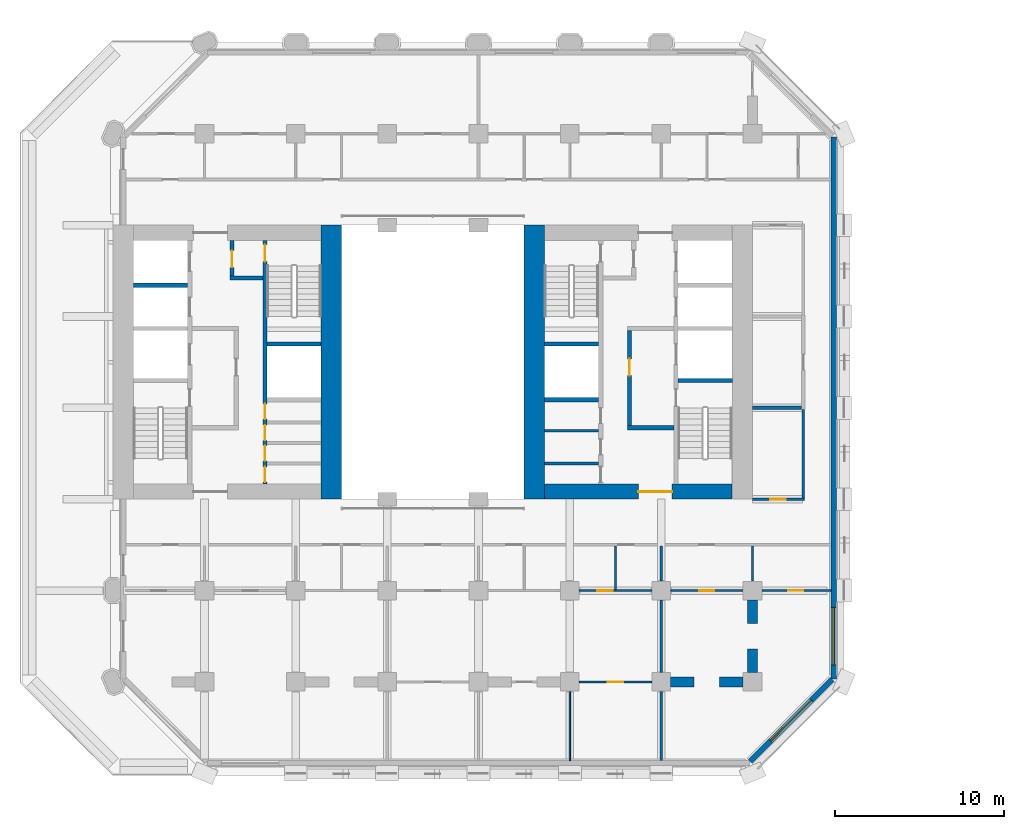
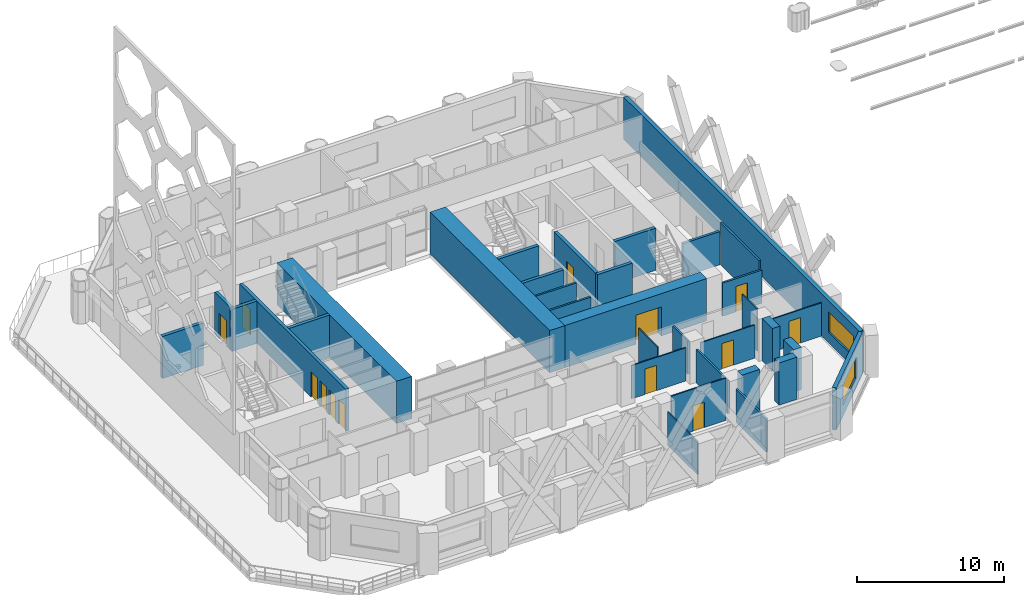
# One storey, part 8 of 14: 34 walls, 13 doors, 2 windows, 15 openings.
"""IFC4 building model written with IfcOpenShell, lengths in metres."""

from ifc_helpers import new_model, si_unit, direction, frame, frame_2d, origin, place, context, subcontext, project, spatial, rectangle, extrude, material, layer, layer_set, type_object, element, fill, save


model = new_model("IFC4")

# Units and contexts
model_context = context("Model", 3, precision=1e-05, world=origin(), true_north=direction((0.0, 1.0)))
body_context = subcontext(model_context, "Body", "Model", "MODEL_VIEW")
ifc_project = project(units=[si_unit("LENGTHUNIT", "METRE"), si_unit("AREAUNIT", "SQUARE_METRE"), si_unit("VOLUMEUNIT", "CUBIC_METRE"), si_unit("PLANEANGLEUNIT", "RADIAN"), si_unit("MASSUNIT", "GRAM", prefix="KILO")], contexts=[model_context])

# Site, building, storey
site_placement = place(None, origin())
site = spatial("IfcSite", under=ifc_project, at=site_placement, CompositionType="ELEMENT")
building_placement = place(site_placement, origin())
building = spatial("IfcBuilding", under=site, at=building_placement, Name="Tabaq Tower and Sports Hall", CompositionType="ELEMENT")
storey_placement = place(building_placement, frame((0.0, 0.0, 33.60009765625)))
storey = spatial("IfcBuildingStorey", under=building, at=storey_placement, Name="L06", CompositionType="ELEMENT", Elevation=33.60009765625)

# Walls
ifc_material_1 = material(Name="Blockwork", Category="masonry")
ifc_layer_1 = layer(ifc_material_1, 0.14990234375)
ifc_layer_set_1 = layer_set([ifc_layer_1], Name="Core room partition 150 Blockwork")
wall_type_1 = type_object("IfcWallType", Name="Core room partition 150 Blockwork", PredefinedType="PARTITIONING", material=ifc_layer_set_1)
for number, where, z_axis, x_axis, name in (
    (1, (30.89990234375, 18.31201171875, 0.0), (0.0, 0.0, 1.0), (1.0, 0.0, 0.0), "Core room partition E L06"),
    (2, (30.89990234375, 20.251953125, 0.0), (0.0, 0.0, 1.0), (1.0, 0.0, 0.0), "Core room partition E L06"),
):
    element("IfcWall", number, at=place(storey_placement, frame(where, z_axis=z_axis, x_axis=x_axis)), inside=storey, type_object=wall_type_1, Name=name, PredefinedType="PARTITIONING", context=body_context, shape_type="SweptSolid", body=[
        extrude(rectangle(XDim=3.2001953125, YDim=0.14990234375, at=frame_2d((1.60009765625, 0.0))), origin(), (0.0, 0.0, 1.0), 3.5),
    ])
ifc_material_2 = material(Name="Concrete C60/75", Category="concrete")
ifc_layer_2 = layer(ifc_material_2, 1.199951171875)
ifc_layer_set_2 = layer_set([ifc_layer_2], Name="Core wall 1200 Concrete C60/75")
wall_type_2 = type_object("IfcWallType", Name="Core wall 1200 Concrete C60/75", PredefinedType="SOLIDWALL", material=ifc_layer_set_2)
for number, where, z_axis, x_axis, name in (
    (3, (18.300048828125, 32.39990234375, 0.0), (0.0, 0.0, 1.0), (0.0, -1.0, 0.0), "Core wall W L06"),
    (4, (30.300048828125, 16.199951171875, 0.0), (0.0, 0.0, 1.0), (0.0, 1.0, 0.0), "Core wall E L06"),
):
    element("IfcWall", number, at=place(storey_placement, frame(where, z_axis=z_axis, x_axis=x_axis)), inside=storey, type_object=wall_type_2, Name=name, PredefinedType="SOLIDWALL", context=body_context, shape_type="SweptSolid", body=[
        extrude(rectangle(XDim=16.199951171875, YDim=1.199951171875, at=frame_2d((8.10009765625, 0.0))), origin(), (0.0, 0.0, 1.0), 3.5),
    ])

# Wall, opening, door
ifc_material_3 = material(Name="Concrete C60/75", Category="concrete")
ifc_layer_3 = layer(ifc_material_3, 0.89990234375)
ifc_layer_set_3 = layer_set([ifc_layer_3], Name="Core wall 900 Concrete C60/75")
wall_type_3 = type_object("IfcWallType", Name="Core wall 900 Concrete C60/75", PredefinedType="SOLIDWALL", material=ifc_layer_set_3)
wall_1_placement = place(storey_placement, frame((42.0, 16.64990234375, 0.0), z_axis=(0.0, 0.0, 1.0), x_axis=(-1.0, 0.0, 0.0)))
wall_1 = element("IfcWall", 5, at=wall_1_placement, inside=storey, type_object=wall_type_3, Name="Core wall E L06", PredefinedType="SOLIDWALL", context=body_context, shape_type="SweptSolid", body=[
    extrude(rectangle(XDim=11.10009765625, YDim=0.89990234375, at=frame_2d((5.550048828125, 0.0))), origin(), (0.0, 0.0, 1.0), 3.5),
])
opening_1_placement = place(wall_1_placement, frame((3.550048828125, 0.0, 0.0)))
opening_1 = element("IfcOpeningElement", 6, at=opening_1_placement, cuts=wall_1, Name="Opening PD-EL06-01", PredefinedType="OPENING", context=body_context, shape_type="SweptSolid", body=[
    extrude(rectangle(XDim=2.0, YDim=2.39990234375, at=frame_2d((1.0, 1.199951171875))), frame((0.0, 0.449951171875, 0.0), z_axis=(0.0, -1.0, 0.0), x_axis=(1.0, 0.0, 0.0)), (0.0, 0.0, 1.0), 0.89990234375),
])
ifc_material_4 = material(Name="Steel fire door", Category="steel")
door_type_1 = type_object("IfcDoorType", Name="Core entrance door 2000", OperationType="DOUBLE_DOOR_SINGLE_SWING", PredefinedType="DOOR", material=ifc_material_4)
door_1_placement = place(opening_1_placement, origin())
door_1 = element("IfcDoor", 7, at=door_1_placement, inside=storey, type_object=door_type_1, Name="Core entrance south E L06", OperationType="DOUBLE_DOOR_SINGLE_SWING", OverallHeight=2.39990234375, OverallWidth=2.0, PredefinedType="DOOR", context=body_context, shape_type="SweptSolid", body=[
    extrude(rectangle(XDim=2.0, YDim=2.39990234375, at=frame_2d((1.0, 1.199951171875))), frame((0.0, 0.02490234375, 0.0), z_axis=(0.0, -1.0, 0.0), x_axis=(1.0, 0.0, 0.0)), (0.0, 0.0, 1.0), 0.050048828125),
])
fill(opening_1, door_1)

# Walls
ifc_material_5 = material(Name="Blockwork", Category="masonry")
ifc_layer_4 = layer(ifc_material_5, 0.199951171875)
ifc_layer_set_4 = layer_set([ifc_layer_4], Name="Fire compartment wall 200 Blockwork")
wall_type_4 = type_object("IfcWallType", Name="Fire compartment wall 200 Blockwork", PredefinedType="PARTITIONING", material=ifc_layer_set_4)
wall_2_placement = place(storey_placement, frame((46.10009765625, 21.60009765625, 0.0), z_axis=(0.0, 0.0, 1.0), x_axis=(-1.0, 0.0, 0.0)))
element("IfcWall", 8, at=wall_2_placement, inside=storey, type_object=wall_type_4, Name="Compartment wall L06", PredefinedType="PARTITIONING", context=body_context, shape_type="SweptSolid", body=[
    extrude(rectangle(XDim=2.900146484375, YDim=0.199951171875, at=frame_2d((1.4501953125, 0.0))), origin(), (0.0, 0.0, 1.0), 2.75),
])
ifc_material_6 = material(Name="Gypsum board on steel studs", Category="steel")
ifc_layer_5 = layer(ifc_material_6, 0.10009765625)
ifc_layer_set_5 = layer_set([ifc_layer_5], Name="Partition 100 Gypsum board")
wall_type_5 = type_object("IfcWallType", Name="Partition 100 Gypsum board", PredefinedType="PARTITIONING", material=ifc_layer_set_5)
wall_3_placement = place(storey_placement, frame((35.10009765625, 10.85009765625, 0.0), z_axis=(0.0, 0.0, 1.0), x_axis=(0.0, 1.0, 0.0)))
element("IfcWall", 9, at=wall_3_placement, inside=storey, type_object=wall_type_5, Name="Partition wall L06", PredefinedType="PARTITIONING", context=body_context, shape_type="SweptSolid", body=[
    extrude(rectangle(XDim=2.574951171875, YDim=0.10009765625, at=frame_2d((1.28759765625, 0.0))), origin(), (0.0, 0.0, 1.0), 3.5),
])

# Wall, opening, door
wall_4_placement = place(storey_placement, frame((32.969970703125, 10.800048828125, 0.0), z_axis=(0.0, 0.0, 1.0), x_axis=(1.0, 0.0, 0.0)))
wall_4 = element("IfcWall", 10, at=wall_4_placement, inside=storey, type_object=wall_type_5, Name="Partition wall L06", PredefinedType="PARTITIONING", context=body_context, shape_type="SweptSolid", body=[
    extrude(rectangle(XDim=4.260009765625, YDim=0.10009765625, at=frame_2d((2.1298828125, 0.0))), origin(), (0.0, 0.0, 1.0), 2.75),
])
opening_2_placement = place(wall_4_placement, frame((1.06005859375, 0.0, 0.0)))
opening_2 = element("IfcOpeningElement", 11, at=opening_2_placement, cuts=wall_4, Name="Opening L06-018", PredefinedType="OPENING", context=body_context, shape_type="SweptSolid", body=[
    extrude(rectangle(XDim=0.89990234375, YDim=2.10009765625, at=frame_2d((0.449951171875, 1.050048828125))), frame((0.0, 0.050048828125, 0.0), z_axis=(0.0, -1.0, 0.0), x_axis=(1.0, 0.0, 0.0)), (0.0, 0.0, 1.0), 0.10009765625),
])
ifc_material_7 = material(Name="Timber leaf in steel frame", Category="steel")
door_type_2 = type_object("IfcDoorType", Name="Internal door 900 left hand", OperationType="SINGLE_SWING_LEFT", PredefinedType="DOOR", material=ifc_material_7)
door_2_placement = place(opening_2_placement, origin())
door_2 = element("IfcDoor", 12, at=door_2_placement, inside=storey, type_object=door_type_2, Name="Internal door L06-018", OperationType="SINGLE_SWING_LEFT", OverallHeight=2.10009765625, OverallWidth=0.89990234375, PredefinedType="DOOR", context=body_context, shape_type="SweptSolid", body=[
    extrude(rectangle(XDim=0.89990234375, YDim=2.10009765625, at=frame_2d((0.449951171875, 1.050048828125))), frame((0.0, 0.02490234375, 0.0), z_axis=(0.0, -1.0, 0.0), x_axis=(1.0, 0.0, 0.0)), (0.0, 0.0, 1.0), 0.050048828125),
])
fill(opening_2, door_2)

wall_5_placement = place(storey_placement, frame((32.969970703125, 5.39990234375, 0.0), z_axis=(0.0, 0.0, 1.0), x_axis=(1.0, 0.0, 0.0)))
wall_5 = element("IfcWall", 13, at=wall_5_placement, inside=storey, type_object=wall_type_5, Name="Partition wall L06", PredefinedType="PARTITIONING", context=body_context, shape_type="SweptSolid", body=[
    extrude(rectangle(XDim=4.260009765625, YDim=0.10009765625, at=frame_2d((2.1298828125, 0.0))), origin(), (0.0, 0.0, 1.0), 3.5),
])
opening_3_placement = place(wall_5_placement, frame((1.679931640625, 0.0, 0.0)))
opening_3 = element("IfcOpeningElement", 14, at=opening_3_placement, cuts=wall_5, Name="Opening L06-021", PredefinedType="OPENING", context=body_context, shape_type="SweptSolid", body=[
    extrude(rectangle(XDim=0.89990234375, YDim=2.10009765625, at=frame_2d((0.449951171875, 1.050048828125))), frame((0.0, 0.050048828125, 0.0), z_axis=(0.0, -1.0, 0.0), x_axis=(1.0, 0.0, 0.0)), (0.0, 0.0, 1.0), 0.10009765625),
])
door_3_placement = place(opening_3_placement, origin())
door_3 = element("IfcDoor", 15, at=door_3_placement, inside=storey, type_object=door_type_2, Name="Internal door L06-021", OperationType="SINGLE_SWING_LEFT", OverallHeight=2.10009765625, OverallWidth=0.89990234375, PredefinedType="DOOR", context=body_context, shape_type="SweptSolid", body=[
    extrude(rectangle(XDim=0.89990234375, YDim=2.10009765625, at=frame_2d((0.449951171875, 1.050048828125))), frame((0.0, 0.02490234375, 0.0), z_axis=(0.0, -1.0, 0.0), x_axis=(1.0, 0.0, 0.0)), (0.0, 0.0, 1.0), 0.050048828125),
])
fill(opening_3, door_3)

# Wall
wall_6_placement = place(storey_placement, frame((32.39990234375, 4.830078125, 0.0), z_axis=(0.0, 0.0, 1.0), x_axis=(0.0, -1.0, 0.0)))
element("IfcWall", 16, at=wall_6_placement, inside=storey, type_object=wall_type_5, Name="Partition wall L06", PredefinedType="PARTITIONING", context=body_context, shape_type="SweptSolid", body=[
    extrude(rectangle(XDim=4.0791015625, YDim=0.10009765625, at=frame_2d((2.03955078125, 0.0))), origin(), (0.0, 0.0, 1.0), 2.75),
])

# Wall, opening, door
wall_7_placement = place(storey_placement, frame((38.3701171875, 10.800048828125, 0.0), z_axis=(0.0, 0.0, 1.0), x_axis=(1.0, 0.0, 0.0)))
wall_7 = element("IfcWall", 17, at=wall_7_placement, inside=storey, type_object=wall_type_5, Name="Partition wall L06", PredefinedType="PARTITIONING", context=body_context, shape_type="SweptSolid", body=[
    extrude(rectangle(XDim=4.259765625, YDim=0.10009765625, at=frame_2d((2.1298828125, 0.0))), origin(), (0.0, 0.0, 1.0), 2.75),
])
opening_4_placement = place(wall_7_placement, frame((1.679931640625, 0.0, 0.0)))
opening_4 = element("IfcOpeningElement", 18, at=opening_4_placement, cuts=wall_7, Name="Opening L06-030", PredefinedType="OPENING", context=body_context, shape_type="SweptSolid", body=[
    extrude(rectangle(XDim=0.89990234375, YDim=2.10009765625, at=frame_2d((0.449951171875, 1.050048828125))), frame((0.0, 0.050048828125, 0.0), z_axis=(0.0, -1.0, 0.0), x_axis=(1.0, 0.0, 0.0)), (0.0, 0.0, 1.0), 0.10009765625),
])
door_4_placement = place(opening_4_placement, origin())
door_4 = element("IfcDoor", 19, at=door_4_placement, inside=storey, type_object=door_type_2, Name="Internal door L06-030", OperationType="SINGLE_SWING_LEFT", OverallHeight=2.10009765625, OverallWidth=0.89990234375, PredefinedType="DOOR", context=body_context, shape_type="SweptSolid", body=[
    extrude(rectangle(XDim=0.89990234375, YDim=2.10009765625, at=frame_2d((0.449951171875, 1.050048828125))), frame((0.0, 0.02490234375, 0.0), z_axis=(0.0, -1.0, 0.0), x_axis=(1.0, 0.0, 0.0)), (0.0, 0.0, 1.0), 0.050048828125),
])
fill(opening_4, door_4)

# Wall
wall_8_placement = place(storey_placement, frame((43.199951171875, 11.3701171875, 0.0), z_axis=(0.0, 0.0, 1.0), x_axis=(0.0, 1.0, 0.0)))
element("IfcWall", 20, at=wall_8_placement, inside=storey, type_object=wall_type_5, Name="Partition wall L06", PredefinedType="PARTITIONING", context=body_context, shape_type="SweptSolid", body=[
    extrude(rectangle(XDim=2.054931640625, YDim=0.10009765625, at=frame_2d((1.02734375, 0.0))), origin(), (0.0, 0.0, 1.0), 3.5),
])

# Wall, opening, door
wall_9_placement = place(storey_placement, frame((47.84912109375, 10.800048828125, 0.0), z_axis=(0.0, 0.0, 1.0), x_axis=(-1.0, 0.0, 0.0)))
wall_9 = element("IfcWall", 21, at=wall_9_placement, inside=storey, type_object=wall_type_5, Name="Partition wall L06", PredefinedType="PARTITIONING", context=body_context, shape_type="SweptSolid", body=[
    extrude(rectangle(XDim=4.0791015625, YDim=0.10009765625, at=frame_2d((2.03955078125, 0.0))), origin(), (0.0, 0.0, 1.0), 2.75),
])
opening_5_placement = place(wall_9_placement, frame((1.648193359375, 0.0, 0.0)))
opening_5 = element("IfcOpeningElement", 22, at=opening_5_placement, cuts=wall_9, Name="Opening L06-022", PredefinedType="OPENING", context=body_context, shape_type="SweptSolid", body=[
    extrude(rectangle(XDim=0.89990234375, YDim=2.10009765625, at=frame_2d((0.449951171875, 1.050048828125))), frame((0.0, 0.050048828125, 0.0), z_axis=(0.0, -1.0, 0.0), x_axis=(1.0, 0.0, 0.0)), (0.0, 0.0, 1.0), 0.10009765625),
])
ifc_material_8 = material(Name="Timber leaf in steel frame", Category="steel")
door_type_3 = type_object("IfcDoorType", Name="Internal door 900 right hand", OperationType="SINGLE_SWING_RIGHT", PredefinedType="DOOR", material=ifc_material_8)
door_5_placement = place(opening_5_placement, origin())
door_5 = element("IfcDoor", 23, at=door_5_placement, inside=storey, type_object=door_type_3, Name="Internal door L06-022", OperationType="SINGLE_SWING_RIGHT", OverallHeight=2.10009765625, OverallWidth=0.89990234375, PredefinedType="DOOR", context=body_context, shape_type="SweptSolid", body=[
    extrude(rectangle(XDim=0.89990234375, YDim=2.10009765625, at=frame_2d((0.449951171875, 1.050048828125))), frame((0.0, 0.02490234375, 0.0), z_axis=(0.0, -1.0, 0.0), x_axis=(1.0, 0.0, 0.0)), (0.0, 0.0, 1.0), 0.050048828125),
])
fill(opening_5, door_5)

# Walls
ifc_material_9 = material(Name="Concrete C60/75", Category="concrete")
ifc_layer_6 = layer(ifc_material_9, 0.60009765625)
ifc_layer_set_6 = layer_set([ifc_layer_6], Name="RC TRANSFER WALL 600 C60/75")
wall_type_6 = type_object("IfcWallType", Name="RC TRANSFER WALL 600 C60/75", PredefinedType="SHEAR", material=ifc_layer_set_6)
wall_10_placement = place(storey_placement, frame((43.199951171875, 5.949951171875, 0.0), z_axis=(0.0, 0.0, 1.0), x_axis=(0.0, 1.0, 0.0)))
element("IfcWall", 24, at=wall_10_placement, inside=storey, type_object=wall_type_6, Name="Transfer Wall L06 East 1", PredefinedType="SHEAR", context=body_context, shape_type="SweptSolid", body=[
    extrude(rectangle(XDim=1.400146484375, YDim=0.60009765625, at=frame_2d((0.7001953125, 0.0))), origin(), (0.0, 0.0, 1.0), 3.5),
])
for number, where, z_axis, x_axis, name in (
    (25, (43.199951171875, 8.85009765625, 0.0), (0.0, 0.0, 1.0), (0.0, 1.0, 0.0), "Transfer Wall L06 East 2"),
    (26, (38.35009765625, 5.39990234375, 0.0), (0.0, 0.0, 1.0), (1.0, 0.0, 0.0), "Transfer Wall L06 South 11"),
    (27, (41.25, 5.39990234375, 0.0), (0.0, 0.0, 1.0), (1.0, 0.0, 0.0), "Transfer Wall L06 South 12"),
):
    element("IfcWall", number, at=place(storey_placement, frame(where, z_axis=z_axis, x_axis=x_axis)), inside=storey, type_object=wall_type_6, Name=name, PredefinedType="SHEAR", context=body_context, shape_type="SweptSolid", body=[
        extrude(rectangle(XDim=1.39990234375, YDim=0.60009765625, at=frame_2d((0.699951171875, 0.0))), origin(), (0.0, 0.0, 1.0), 3.5),
    ])

# Wall, opening, door
ifc_material_10 = material(Name="Blockwork", Category="masonry")
ifc_layer_7 = layer(ifc_material_10, 0.14990234375)
ifc_layer_set_7 = layer_set([ifc_layer_7], Name="Separating wall 150 Blockwork")
wall_type_7 = type_object("IfcWallType", Name="Separating wall 150 Blockwork", PredefinedType="PARTITIONING", material=ifc_layer_set_7)
wall_11_placement = place(storey_placement, frame((43.199951171875, 16.199951171875, 0.0), z_axis=(0.0, 0.0, 1.0), x_axis=(1.0, 0.0, 0.0)))
wall_11 = element("IfcWall", 28, at=wall_11_placement, inside=storey, type_object=wall_type_7, Name="Separating wall L06", PredefinedType="PARTITIONING", context=body_context, shape_type="SweptSolid", body=[
    extrude(rectangle(XDim=3.074951171875, YDim=0.14990234375, at=frame_2d((1.53759765625, 0.0))), origin(), (0.0, 0.0, 1.0), 2.75),
])
opening_6_placement = place(wall_11_placement, frame((1.050048828125, 0.0, 0.0)))
opening_6 = element("IfcOpeningElement", 29, at=opening_6_placement, cuts=wall_11, Name="Opening L06-009", PredefinedType="OPENING", context=body_context, shape_type="SweptSolid", body=[
    extrude(rectangle(XDim=0.89990234375, YDim=2.10009765625, at=frame_2d((0.449951171875, 1.050048828125))), frame((0.0, 0.074951171875, 0.0), z_axis=(0.0, -1.0, 0.0), x_axis=(1.0, 0.0, 0.0)), (0.0, 0.0, 1.0), 0.14990234375),
])
door_6_placement = place(opening_6_placement, origin())
door_6 = element("IfcDoor", 30, at=door_6_placement, inside=storey, type_object=door_type_3, Name="Internal door L06-009", OperationType="SINGLE_SWING_RIGHT", OverallHeight=2.10009765625, OverallWidth=0.89990234375, PredefinedType="DOOR", context=body_context, shape_type="SweptSolid", body=[
    extrude(rectangle(XDim=0.89990234375, YDim=2.10009765625, at=frame_2d((0.449951171875, 1.050048828125))), frame((0.0, 0.02490234375, 0.0), z_axis=(0.0, -1.0, 0.0), x_axis=(1.0, 0.0, 0.0)), (0.0, 0.0, 1.0), 0.050048828125),
])
fill(opening_6, door_6)

# Walls
wall_12_placement = place(storey_placement, frame((46.199951171875, 16.27490234375, 0.0), z_axis=(0.0, 0.0, 1.0), x_axis=(0.0, 1.0, 0.0)))
element("IfcWall", 31, at=wall_12_placement, inside=storey, type_object=wall_type_7, Name="Separating wall L06", PredefinedType="PARTITIONING", context=body_context, shape_type="SweptSolid", body=[
    extrude(rectangle(XDim=5.22509765625, YDim=0.14990234375, at=frame_2d((2.612548828125, 0.0))), origin(), (0.0, 0.0, 1.0), 3.5),
])
wall_13_placement = place(storey_placement, frame((37.800048828125, 11.3701171875, 0.0), z_axis=(0.0, 0.0, 1.0), x_axis=(0.0, 1.0, 0.0)))
element("IfcWall", 32, at=wall_13_placement, inside=storey, type_object=wall_type_7, Name="Separating wall L06", PredefinedType="PARTITIONING", context=body_context, shape_type="SweptSolid", body=[
    extrude(rectangle(XDim=2.054931640625, YDim=0.14990234375, at=frame_2d((1.02734375, 0.0))), origin(), (0.0, 0.0, 1.0), 2.75),
])
wall_14_placement = place(storey_placement, frame((37.800048828125, 5.969970703125, 0.0), z_axis=(0.0, 0.0, 1.0), x_axis=(0.0, 1.0, 0.0)))
element("IfcWall", 33, at=wall_14_placement, inside=storey, type_object=wall_type_7, Name="Separating wall L06", PredefinedType="PARTITIONING", context=body_context, shape_type="SweptSolid", body=[
    extrude(rectangle(XDim=4.260009765625, YDim=0.14990234375, at=frame_2d((2.1298828125, 0.0))), origin(), (0.0, 0.0, 1.0), 2.75),
])
wall_15_placement = place(storey_placement, frame((37.800048828125, 4.830078125, 0.0), z_axis=(0.0, 0.0, 1.0), x_axis=(0.0, -1.0, 0.0)))
element("IfcWall", 34, at=wall_15_placement, inside=storey, type_object=wall_type_7, Name="Separating wall L06", PredefinedType="PARTITIONING", context=body_context, shape_type="SweptSolid", body=[
    extrude(rectangle(XDim=4.0791015625, YDim=0.14990234375, at=frame_2d((2.03955078125, 0.0))), origin(), (0.0, 0.0, 1.0), 2.75),
])

# Wall, openings, doors
ifc_material_11 = material(Name="Concrete C40/50", Category="concrete")
ifc_layer_8 = layer(ifc_material_11, 0.25)
ifc_layer_set_8 = layer_set([ifc_layer_8], Name="Shaft and stair wall 250 Concrete C40/50")
wall_type_8 = type_object("IfcWallType", Name="Shaft and stair wall 250 Concrete C40/50", PredefinedType="SOLIDWALL", material=ifc_layer_set_8)
wall_16_placement = place(storey_placement, frame((14.375, 17.10009765625, 0.0), z_axis=(0.0, 0.0, 1.0), x_axis=(0.0, 1.0, 0.0)))
wall_16 = element("IfcWall", 35, at=wall_16_placement, inside=storey, type_object=wall_type_8, Name="Shaft wall W L06", PredefinedType="SOLIDWALL", context=body_context, shape_type="SweptSolid", body=[
    extrude(rectangle(XDim=14.39990234375, YDim=0.25, at=frame_2d((7.199951171875, 0.0))), origin(), (0.0, 0.0, 1.0), 3.5),
])
opening_7_placement = place(wall_16_placement, frame((13.14990234375, 0.0, 0.0)))
opening_7 = element("IfcOpeningElement", 36, at=opening_7_placement, cuts=wall_16, Name="Opening SD-WL06-05", PredefinedType="OPENING", context=body_context, shape_type="SweptSolid", body=[
    extrude(rectangle(XDim=1.0, YDim=2.10009765625, at=frame_2d((0.5, 1.050048828125))), frame((0.0, 0.125, 0.0), z_axis=(0.0, -1.0, 0.0), x_axis=(1.0, 0.0, 0.0)), (0.0, 0.0, 1.0), 0.25),
])
opening_8_placement = place(wall_16_placement, frame((0.118408203125, 0.0, 0.0)))
opening_8 = element("IfcOpeningElement", 37, at=opening_8_placement, cuts=wall_16, Name="Opening RD-WL06-10", PredefinedType="OPENING", context=body_context, shape_type="SweptSolid", body=[
    extrude(rectangle(XDim=0.89990234375, YDim=2.10009765625, at=frame_2d((0.449951171875, 1.050048828125))), frame((0.0, 0.125, 0.0), z_axis=(0.0, -1.0, 0.0), x_axis=(1.0, 0.0, 0.0)), (0.0, 0.0, 1.0), 0.25),
])
opening_9_placement = place(wall_16_placement, frame((1.368408203125, 0.0, 0.0)))
opening_9 = element("IfcOpeningElement", 38, at=opening_9_placement, cuts=wall_16, Name="Opening RD-WL06-11", PredefinedType="OPENING", context=body_context, shape_type="SweptSolid", body=[
    extrude(rectangle(XDim=0.89990234375, YDim=2.10009765625, at=frame_2d((0.449951171875, 1.050048828125))), frame((0.0, 0.125, 0.0), z_axis=(0.0, -1.0, 0.0), x_axis=(1.0, 0.0, 0.0)), (0.0, 0.0, 1.0), 0.25),
])
opening_10_placement = place(wall_16_placement, frame((2.5810546875, 0.0, 0.0)))
opening_10 = element("IfcOpeningElement", 39, at=opening_10_placement, cuts=wall_16, Name="Opening RD-WL06-12", PredefinedType="OPENING", context=body_context, shape_type="SweptSolid", body=[
    extrude(rectangle(XDim=0.89990234375, YDim=2.10009765625, at=frame_2d((0.449951171875, 1.050048828125))), frame((0.0, 0.125, 0.0), z_axis=(0.0, -1.0, 0.0), x_axis=(1.0, 0.0, 0.0)), (0.0, 0.0, 1.0), 0.25),
])
opening_11_placement = place(wall_16_placement, frame((3.8310546875, 0.0, 0.0)))
opening_11 = element("IfcOpeningElement", 40, at=opening_11_placement, cuts=wall_16, Name="Opening RD-WL06-13", PredefinedType="OPENING", context=body_context, shape_type="SweptSolid", body=[
    extrude(rectangle(XDim=0.89990234375, YDim=2.10009765625, at=frame_2d((0.449951171875, 1.050048828125))), frame((0.0, 0.125, 0.0), z_axis=(0.0, -1.0, 0.0), x_axis=(1.0, 0.0, 0.0)), (0.0, 0.0, 1.0), 0.25),
])
ifc_material_12 = material(Name="Steel fire door", Category="steel")
door_type_4 = type_object("IfcDoorType", Name="Core room door 900", OperationType="SINGLE_SWING_LEFT", PredefinedType="DOOR", material=ifc_material_12)
door_7_placement = place(opening_8_placement, origin())
door_7 = element("IfcDoor", 41, at=door_7_placement, inside=storey, type_object=door_type_4, Name="Door Cleaner's Store W L06", OperationType="SINGLE_SWING_LEFT", OverallHeight=2.10009765625, OverallWidth=0.89990234375, PredefinedType="DOOR", context=body_context, shape_type="SweptSolid", body=[
    extrude(rectangle(XDim=0.89990234375, YDim=2.10009765625, at=frame_2d((0.449951171875, 1.050048828125))), frame((0.0, 0.02490234375, 0.0), z_axis=(0.0, -1.0, 0.0), x_axis=(1.0, 0.0, 0.0)), (0.0, 0.0, 1.0), 0.050048828125),
])
fill(opening_8, door_7)
door_8_placement = place(opening_9_placement, origin())
door_8 = element("IfcDoor", 42, at=door_8_placement, inside=storey, type_object=door_type_4, Name="Door Gents WC W L06", OperationType="SINGLE_SWING_LEFT", OverallHeight=2.10009765625, OverallWidth=0.89990234375, PredefinedType="DOOR", context=body_context, shape_type="SweptSolid", body=[
    extrude(rectangle(XDim=0.89990234375, YDim=2.10009765625, at=frame_2d((0.449951171875, 1.050048828125))), frame((0.0, 0.02490234375, 0.0), z_axis=(0.0, -1.0, 0.0), x_axis=(1.0, 0.0, 0.0)), (0.0, 0.0, 1.0), 0.050048828125),
])
fill(opening_9, door_8)
door_9_placement = place(opening_10_placement, origin())
door_9 = element("IfcDoor", 43, at=door_9_placement, inside=storey, type_object=door_type_4, Name="Door Ladies WC W L06", OperationType="SINGLE_SWING_LEFT", OverallHeight=2.10009765625, OverallWidth=0.89990234375, PredefinedType="DOOR", context=body_context, shape_type="SweptSolid", body=[
    extrude(rectangle(XDim=0.89990234375, YDim=2.10009765625, at=frame_2d((0.449951171875, 1.050048828125))), frame((0.0, 0.02490234375, 0.0), z_axis=(0.0, -1.0, 0.0), x_axis=(1.0, 0.0, 0.0)), (0.0, 0.0, 1.0), 0.050048828125),
])
fill(opening_10, door_9)
door_10_placement = place(opening_11_placement, origin())
door_10 = element("IfcDoor", 44, at=door_10_placement, inside=storey, type_object=door_type_4, Name="Door Accessible WC W L06", OperationType="SINGLE_SWING_LEFT", OverallHeight=2.10009765625, OverallWidth=0.89990234375, PredefinedType="DOOR", context=body_context, shape_type="SweptSolid", body=[
    extrude(rectangle(XDim=0.89990234375, YDim=2.10009765625, at=frame_2d((0.449951171875, 1.050048828125))), frame((0.0, 0.02490234375, 0.0), z_axis=(0.0, -1.0, 0.0), x_axis=(1.0, 0.0, 0.0)), (0.0, 0.0, 1.0), 0.050048828125),
])
fill(opening_11, door_10)
ifc_material_13 = material(Name="Steel fire door", Category="steel")
door_type_5 = type_object("IfcDoorType", Name="Stair door 1000", OperationType="SINGLE_SWING_LEFT", PredefinedType="DOOR", material=ifc_material_13)
door_11_placement = place(opening_7_placement, origin())
door_11 = element("IfcDoor", 45, at=door_11_placement, inside=storey, type_object=door_type_5, Name="Stair door ST2 W L06", OperationType="SINGLE_SWING_LEFT", OverallHeight=2.10009765625, OverallWidth=1.0, PredefinedType="DOOR", context=body_context, shape_type="SweptSolid", body=[
    extrude(rectangle(XDim=1.0, YDim=2.10009765625, at=frame_2d((0.5, 1.050048828125))), frame((0.0, 0.02490234375, 0.0), z_axis=(0.0, -1.0, 0.0), x_axis=(1.0, 0.0, 0.0)), (0.0, 0.0, 1.0), 0.050048828125),
])
fill(opening_7, door_11)

# Wall
wall_17_placement = place(storey_placement, frame((14.5, 25.375, 0.0), z_axis=(0.0, 0.0, 1.0), x_axis=(1.0, 0.0, 0.0)))
element("IfcWall", 46, at=wall_17_placement, inside=storey, type_object=wall_type_8, Name="Stair enclosure wall W L06", PredefinedType="SOLIDWALL", context=body_context, shape_type="SweptSolid", body=[
    extrude(rectangle(XDim=3.199951171875, YDim=0.25, at=frame_2d((1.60009765625, 0.0))), origin(), (0.0, 0.0, 1.0), 3.5),
])

# Wall, opening, door
wall_18_placement = place(storey_placement, frame((12.425048828125, 29.39990234375, 0.0), z_axis=(0.0, 0.0, 1.0), x_axis=(0.0, 1.0, 0.0)))
wall_18 = element("IfcWall", 47, at=wall_18_placement, inside=storey, type_object=wall_type_8, Name="Fire-fighting lobby wall W L06", PredefinedType="SOLIDWALL", context=body_context, shape_type="SweptSolid", body=[
    extrude(rectangle(XDim=2.10009765625, YDim=0.25, at=frame_2d((1.050048828125, 0.0))), origin(), (0.0, 0.0, 1.0), 3.5),
])
opening_12_placement = place(wall_18_placement, frame((0.5, 0.0, 0.0)))
opening_12 = element("IfcOpeningElement", 48, at=opening_12_placement, cuts=wall_18, Name="Opening FD-WL06-06", PredefinedType="OPENING", context=body_context, shape_type="SweptSolid", body=[
    extrude(rectangle(XDim=1.0, YDim=2.10009765625, at=frame_2d((0.5, 1.050048828125))), frame((0.0, 0.125, 0.0), z_axis=(0.0, -1.0, 0.0), x_axis=(1.0, 0.0, 0.0)), (0.0, 0.0, 1.0), 0.25),
])
ifc_material_14 = material(Name="Steel fire door", Category="steel")
door_type_6 = type_object("IfcDoorType", Name="Fire-fighting lobby door 1000", OperationType="SINGLE_SWING_LEFT", PredefinedType="DOOR", material=ifc_material_14)
door_12_placement = place(opening_12_placement, origin())
door_12 = element("IfcDoor", 49, at=door_12_placement, inside=storey, type_object=door_type_6, Name="Stair lobby door W L06", OperationType="SINGLE_SWING_LEFT", OverallHeight=2.10009765625, OverallWidth=1.0, PredefinedType="DOOR", context=body_context, shape_type="SweptSolid", body=[
    extrude(rectangle(XDim=1.0, YDim=2.10009765625, at=frame_2d((0.5, 1.050048828125))), frame((0.0, 0.02490234375, 0.0), z_axis=(0.0, -1.0, 0.0), x_axis=(1.0, 0.0, 0.0)), (0.0, 0.0, 1.0), 0.050048828125),
])
fill(opening_12, door_12)

# Walls
wall_19_placement = place(storey_placement, frame((12.300048828125, 29.27490234375, 0.0), z_axis=(0.0, 0.0, 1.0), x_axis=(1.0, 0.0, 0.0)))
element("IfcWall", 50, at=wall_19_placement, inside=storey, type_object=wall_type_8, Name="Fire-fighting lobby wall W L06", PredefinedType="SOLIDWALL", context=body_context, shape_type="SweptSolid", body=[
    extrude(rectangle(XDim=1.949951171875, YDim=0.25, at=frame_2d((0.97509765625, 0.0))), origin(), (0.0, 0.0, 1.0), 3.5),
])
for number, where, z_axis, x_axis, name in (
    (51, (6.60009765625, 28.85009765625, 0.0), (0.0, 0.0, 1.0), (1.0, 0.0, 0.0), "Shaft wall W L06"),
    (52, (38.800048828125, 23.22509765625, 0.0), (0.0, 0.0, 1.0), (1.0, 0.0, 0.0), "Stair enclosure wall E L06"),
):
    element("IfcWall", number, at=place(storey_placement, frame(where, z_axis=z_axis, x_axis=x_axis)), inside=storey, type_object=wall_type_8, Name=name, PredefinedType="SOLIDWALL", context=body_context, shape_type="SweptSolid", body=[
        extrude(rectangle(XDim=3.199951171875, YDim=0.25, at=frame_2d((1.60009765625, 0.0))), origin(), (0.0, 0.0, 1.0), 3.5),
    ])
for number, where, z_axis, x_axis, name in (
    (53, (30.89990234375, 25.375, 0.0), (0.0, 0.0, 1.0), (1.0, 0.0, 0.0), "Stair enclosure wall E L06"),
    (54, (30.89990234375, 22.074951171875, 0.0), (0.0, 0.0, 1.0), (1.0, 0.0, 0.0), "Shaft wall E L06"),
):
    element("IfcWall", number, at=place(storey_placement, frame(where, z_axis=z_axis, x_axis=x_axis)), inside=storey, type_object=wall_type_8, Name=name, PredefinedType="SOLIDWALL", context=body_context, shape_type="SweptSolid", body=[
        extrude(rectangle(XDim=3.2001953125, YDim=0.25, at=frame_2d((1.60009765625, 0.0))), origin(), (0.0, 0.0, 1.0), 3.5),
    ])
wall_20_placement = place(storey_placement, frame((35.800048828125, 20.425048828125, 0.0), z_axis=(0.0, 0.0, 1.0), x_axis=(1.0, 0.0, 0.0)))
element("IfcWall", 55, at=wall_20_placement, inside=storey, type_object=wall_type_8, Name="Fire-fighting lobby wall E L06", PredefinedType="SOLIDWALL", context=body_context, shape_type="SweptSolid", body=[
    extrude(rectangle(XDim=2.75, YDim=0.25, at=frame_2d((1.375, 0.0))), origin(), (0.0, 0.0, 1.0), 3.5),
])

# Wall, opening, door
wall_21_placement = place(storey_placement, frame((35.925048828125, 20.550048828125, 0.0), z_axis=(0.0, 0.0, 1.0), x_axis=(0.0, 1.0, 0.0)))
wall_21 = element("IfcWall", 56, at=wall_21_placement, inside=storey, type_object=wall_type_8, Name="Fire-fighting lobby wall E L06", PredefinedType="SOLIDWALL", context=body_context, shape_type="SweptSolid", body=[
    extrude(rectangle(XDim=5.625, YDim=0.25, at=frame_2d((2.8125, 0.0))), origin(), (0.0, 0.0, 1.0), 3.5),
])
opening_13_placement = place(wall_21_placement, frame((2.949951171875, 0.0, 0.0)))
opening_13 = element("IfcOpeningElement", 57, at=opening_13_placement, cuts=wall_21, Name="Opening FD-EL06-04", PredefinedType="OPENING", context=body_context, shape_type="SweptSolid", body=[
    extrude(rectangle(XDim=1.0, YDim=2.10009765625, at=frame_2d((0.5, 1.050048828125))), frame((0.0, 0.125, 0.0), z_axis=(0.0, -1.0, 0.0), x_axis=(1.0, 0.0, 0.0)), (0.0, 0.0, 1.0), 0.25),
])
door_13_placement = place(opening_13_placement, origin())
door_13 = element("IfcDoor", 58, at=door_13_placement, inside=storey, type_object=door_type_6, Name="Fire-fighting lobby door E L06", OperationType="SINGLE_SWING_LEFT", OverallHeight=2.10009765625, OverallWidth=1.0, PredefinedType="DOOR", context=body_context, shape_type="SweptSolid", body=[
    extrude(rectangle(XDim=1.0, YDim=2.10009765625, at=frame_2d((0.5, 1.050048828125))), frame((0.0, 0.02490234375, 0.0), z_axis=(0.0, -1.0, 0.0), x_axis=(1.0, 0.0, 0.0)), (0.0, 0.0, 1.0), 0.050048828125),
])
fill(opening_13, door_13)

# Wall, opening, window
ifc_material_15 = material(Name="White precast concrete C60/75", Category="concrete")
ifc_layer_9 = layer(ifc_material_15, 0.300048828125)
ifc_layer_set_9 = layer_set([ifc_layer_9], Name="White precast concrete C60/75 external wall 300")
wall_type_9 = type_object("IfcWallType", Name="White precast concrete C60/75 external wall 300", PredefinedType="SOLIDWALL", material=ifc_layer_set_9)
wall_22_placement = place(storey_placement, frame((43.050537109375, 0.698974609375, 0.0), z_axis=(0.0, 0.0, 1.0), x_axis=(0.707106781187, 0.707106781187, 0.0)))
wall_22 = element("IfcWall", 59, at=wall_22_placement, inside=storey, type_object=wall_type_9, Name="External Wall L06 SE", PredefinedType="SOLIDWALL", context=body_context, shape_type="SweptSolid", body=[
    extrude(rectangle(XDim=6.85986328125, YDim=0.300048828125, at=frame_2d((3.429931640625, 0.0))), origin(), (0.0, 0.0, 1.0), 3.5),
])
opening_14_placement = place(wall_22_placement, frame((1.729736328125, 0.0, 0.89990234375)))
opening_14 = element("IfcOpeningElement", 60, at=opening_14_placement, cuts=wall_22, Name="Opening W1A", PredefinedType="OPENING", context=body_context, shape_type="SweptSolid", body=[
    extrude(rectangle(XDim=3.39990234375, YDim=1.699951171875, at=frame_2d((1.699951171875, 0.85009765625))), frame((0.0, 0.16015625, 0.0), z_axis=(0.0, -1.0, 0.0), x_axis=(1.0, 0.0, 0.0)), (0.0, 0.0, 1.0), 0.320068359375),
])
ifc_material_16 = material(Name="Aluminium framed clear glazing", Category="aluminium")
window_type = type_object("IfcWindowType", Name="Window W1A", PartitioningType="SINGLE_PANEL", PredefinedType="WINDOW", material=ifc_material_16)
window_1_placement = place(opening_14_placement, origin())
window_1 = element("IfcWindow", 61, at=window_1_placement, inside=storey, type_object=window_type, Name="Window W1A L06", OverallHeight=1.699951171875, OverallWidth=3.39990234375, PartitioningType="SINGLE_PANEL", PredefinedType="WINDOW", context=body_context, shape_type="SweptSolid", body=[
    extrude(rectangle(XDim=3.39990234375, YDim=1.699951171875, at=frame_2d((1.699951171875, 0.85009765625))), frame((0.0, 0.030029296875, 0.0), z_axis=(0.0, -1.0, 0.0), x_axis=(1.0, 0.0, 0.0)), (0.0, 0.0, 1.0), 0.06005859375),
])
fill(opening_14, window_1)

wall_23_placement = place(storey_placement, frame((48.0, 5.58642578125, 0.0), z_axis=(0.0, 0.0, 1.0), x_axis=(0.0, 1.0, 0.0)))
wall_23 = element("IfcWall", 62, at=wall_23_placement, inside=storey, type_object=wall_type_9, Name="External Wall L06 E", PredefinedType="SOLIDWALL", context=body_context, shape_type="SweptSolid", body=[
    extrude(rectangle(XDim=32.027099609375, YDim=0.300048828125, at=frame_2d((16.013671875, 0.0))), origin(), (0.0, 0.0, 1.0), 3.5),
])
opening_15_placement = place(wall_23_placement, frame((0.813720703125, 0.0, 0.89990234375)))
opening_15 = element("IfcOpeningElement", 63, at=opening_15_placement, cuts=wall_23, Name="Opening W1A", PredefinedType="OPENING", context=body_context, shape_type="SweptSolid", body=[
    extrude(rectangle(XDim=3.39990234375, YDim=1.699951171875, at=frame_2d((1.699951171875, 0.85009765625))), frame((0.0, 0.16015625, 0.0), z_axis=(0.0, -1.0, 0.0), x_axis=(1.0, 0.0, 0.0)), (0.0, 0.0, 1.0), 0.320068359375),
])
window_2_placement = place(opening_15_placement, origin())
window_2 = element("IfcWindow", 64, at=window_2_placement, inside=storey, type_object=window_type, Name="Window W1A L06", OverallHeight=1.699951171875, OverallWidth=3.39990234375, PartitioningType="SINGLE_PANEL", PredefinedType="WINDOW", context=body_context, shape_type="SweptSolid", body=[
    extrude(rectangle(XDim=3.39990234375, YDim=1.699951171875, at=frame_2d((1.699951171875, 0.85009765625))), frame((0.0, 0.030029296875, 0.0), z_axis=(0.0, -1.0, 0.0), x_axis=(1.0, 0.0, 0.0)), (0.0, 0.0, 1.0), 0.06005859375),
])
fill(opening_15, window_2)

save(model, "model.ifc")
